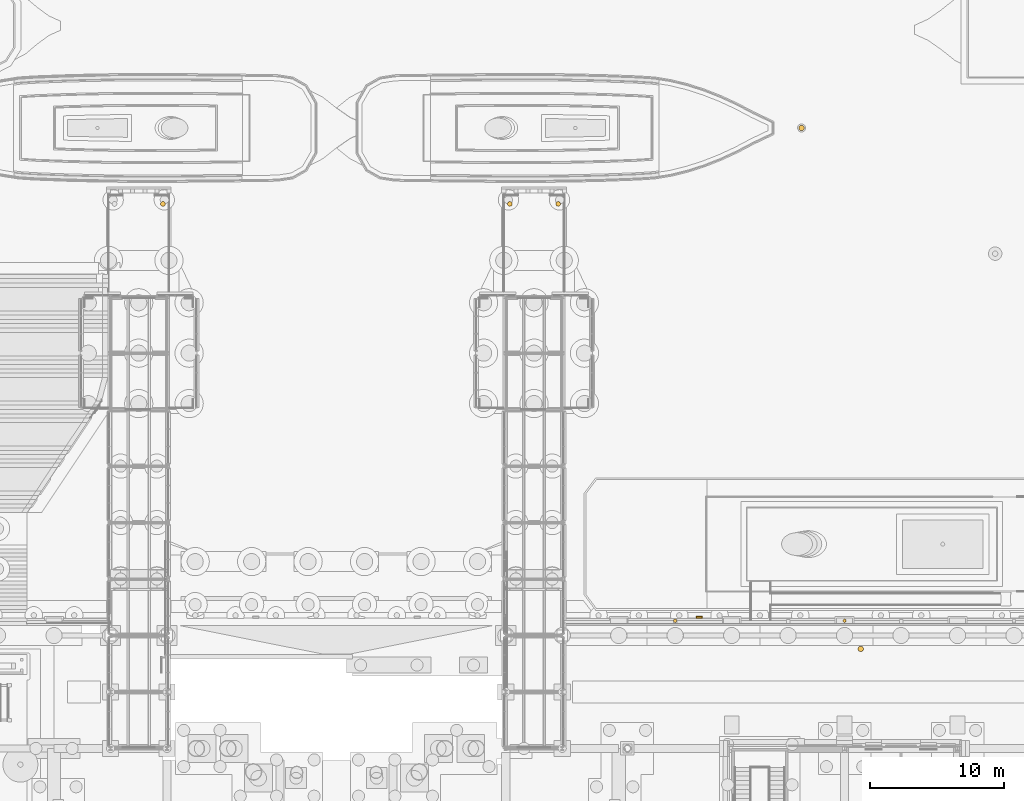
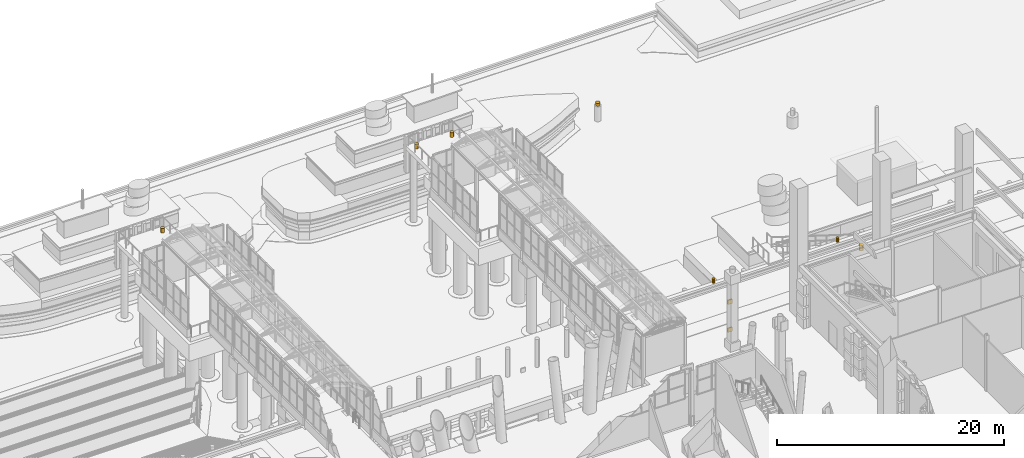
# One storey, part 214 of 222: 9 coverings.
"""IFC4 building model written with IfcOpenShell, lengths in metres."""

import ifcopenshell
import ifcopenshell.guid

model = None  # the IFC model being written
_history = None  # IfcOwnerHistory: only IFC2X3 demands one
_inside = {}  # id of a spatial element -> (the spatial element, [elements in it])
_under = {}  # id of a project, library or spatial element -> (it, [spatial elements below it])
_declared = {}  # id of a project -> (the project, [libraries it declares])
_typed = {}  # id of a type object -> (the type object, [elements of that type])
_made_of = {}  # id of a material, layer set ... -> (it, [elements and type objects made of it])


def new_model(schema):
    """Start an empty IFC model of exactly this schema.

    Asked for "IFC4X3", IfcOpenShell would pick the latest addendum, in which some entities
    have other attributes; the version numbers below select the first issue.
    IFC2X3 requires an IfcOwnerHistory on every rooted entity: one is made here for all.
    """
    global model, _history
    if schema == "IFC4X3":
        model = ifcopenshell.file(schema_version=(4, 3, 0, 0))
    else:
        model = ifcopenshell.file(schema=schema)
    _inside.clear()
    _under.clear()
    _declared.clear()
    _typed.clear()
    _made_of.clear()
    _history = None
    if model.schema == "IFC2X3":
        org = make("IfcOrganization", Name="unknown")
        user = make(
            "IfcPersonAndOrganization",
            ThePerson=make("IfcPerson", FamilyName="unknown"),
            TheOrganization=org,
        )
        app = make(
            "IfcApplication",
            ApplicationDeveloper=org,
            Version="unknown",
            ApplicationFullName="unknown",
            ApplicationIdentifier="unknown",
        )
        _history = make(
            "IfcOwnerHistory",
            OwningUser=user,
            OwningApplication=app,
            ChangeAction="ADDED",
            CreationDate=0,
        )
    return model


def make(cls, **values):
    """One entity of the class cls with the attributes given. An attribute that is None is left unset."""
    return model.create_entity(
        cls, **{name: value for name, value in values.items() if value is not None}
    )


def rooted(cls, **values):
    """An entity with a GlobalId (a new one), such as an element, a storey or a relation."""
    return make(cls, GlobalId=ifcopenshell.guid.new(), OwnerHistory=_history, **values)


def si_unit(unit_type, name, prefix=None):
    """IfcSIUnit, for example si_unit("LENGTHUNIT", "METRE", prefix="MILLI")."""
    return make("IfcSIUnit", UnitType=unit_type, Prefix=prefix, Name=name)


def assignment(units):
    """IfcUnitAssignment: the units of a project."""
    return None if units is None else make("IfcUnitAssignment", Units=units)


def point(xyz):
    """IfcCartesianPoint."""
    return None if xyz is None else make("IfcCartesianPoint", Coordinates=xyz)


def direction(xyz):
    """IfcDirection."""
    return None if xyz is None else make("IfcDirection", DirectionRatios=xyz)


def frame(location, z_axis=None, x_axis=None):
    """IfcAxis2Placement3D, a coordinate frame: its origin and axes. An axis left out is left unset."""
    return make(
        "IfcAxis2Placement3D",
        Location=point(location),
        Axis=direction(z_axis),
        RefDirection=direction(x_axis),
    )


def frame_2d(location, x_axis=None):
    """IfcAxis2Placement2D, a coordinate frame in the plane: its origin and x axis."""
    return make(
        "IfcAxis2Placement2D", Location=point(location), RefDirection=direction(x_axis)
    )


def origin():
    """The frame at (0, 0, 0) with its axes left unset."""
    return frame((0.0, 0.0, 0.0))


def origin_2d():
    """The frame at (0, 0) in the plane with its x axis left unset."""
    return frame_2d((0.0, 0.0))


def place(relative_to, where):
    """IfcLocalPlacement: puts the frame where relative to a parent placement (None: the world)."""
    return make(
        "IfcLocalPlacement", PlacementRelTo=relative_to, RelativePlacement=where
    )


def context(
    kind, dimensions, precision=None, world=None, true_north=None, identifier=None
):
    """IfcGeometricRepresentationContext, for example the 3D "Model" context."""
    return make(
        "IfcGeometricRepresentationContext",
        ContextIdentifier=identifier,
        ContextType=kind,
        CoordinateSpaceDimension=dimensions,
        Precision=precision,
        WorldCoordinateSystem=world,
        TrueNorth=true_north,
    )


def subcontext(parent, identifier, kind, view, scale=None):
    """IfcGeometricRepresentationSubContext, for example "Body" below "Model"."""
    return make(
        "IfcGeometricRepresentationSubContext",
        ContextIdentifier=identifier,
        ContextType=kind,
        ParentContext=parent,
        TargetScale=scale,
        TargetView=view,
    )


def project(units=None, contexts=None):
    """IfcProject with its units and contexts."""
    return rooted(
        "IfcProject",
        Name="project",
        RepresentationContexts=contexts,
        UnitsInContext=assignment(units),
    )


def spatial(cls, under=None, at=None, **own):
    """A site, building, storey or space (cls), placed at a placement, below another one or the project."""
    s = rooted(cls, ObjectPlacement=at, **own)
    if under is not None:
        _under.setdefault(under.id(), (under, []))[1].append(s)
    return s


def polyline(points):
    """IfcPolyline through the points."""
    return make("IfcPolyline", Points=[point(p) for p in points])


def profile(cls, at=None, kind="AREA", **sizes):
    """A parametric profile (cls). Its sizes go by their IFC names, for example OverallWidth=200.0."""
    return make(cls, ProfileType=kind, Position=at, **sizes)


def circle(**sizes):
    """IfcCircleProfileDef."""
    return profile("IfcCircleProfileDef", **sizes)


def outline(outer, holes=None, kind="AREA"):
    """IfcArbitraryClosedProfileDef: a profile drawn as a closed curve; with holes, ...WithVoids."""
    if holes is None:
        return make("IfcArbitraryClosedProfileDef", ProfileType=kind, OuterCurve=outer)
    return make(
        "IfcArbitraryProfileDefWithVoids",
        ProfileType=kind,
        OuterCurve=outer,
        InnerCurves=holes,
    )


def extrude(swept, where, along, depth):
    """IfcExtrudedAreaSolid: the profile swept, set in the frame where, extruded along a direction by depth."""
    return make(
        "IfcExtrudedAreaSolid",
        SweptArea=swept,
        Position=where,
        ExtrudedDirection=direction(along),
        Depth=depth,
    )


def shape(context_of_items, identifier, shape_type, items):
    """IfcShapeRepresentation: the items that make up one representation, for example the "Body"."""
    return make(
        "IfcShapeRepresentation",
        ContextOfItems=context_of_items,
        RepresentationIdentifier=identifier,
        RepresentationType=shape_type,
        Items=items,
    )


def material(Name=None, Category=None):
    """IfcMaterial."""
    return make("IfcMaterial", Name=Name, Category=Category)


def layer(
    of_material, thickness, ventilated=None, Name=None, Category=None, Priority=None
):
    """IfcMaterialLayer: one layer of a wall or slab, of a material (None: an air gap)."""
    return make(
        "IfcMaterialLayer",
        Material=of_material,
        LayerThickness=thickness,
        IsVentilated=ventilated,
        Name=Name,
        Category=Category,
        Priority=Priority,
    )


def layer_set(layers, Name=None):
    """IfcMaterialLayerSet."""
    return make("IfcMaterialLayerSet", MaterialLayers=layers, LayerSetName=Name)


def made_of(thing, what):
    """Note that an element or type object is made of a material, layer set ...; save() writes the relation."""
    if what is not None:
        _made_of.setdefault(what.id(), (what, []))[1].append(thing)
    return thing


def type_object(cls, material=None, **own):
    """A type object (cls), such as IfcWallType, which elements share."""
    return made_of(rooted(cls, **own), material)


def element(
    cls,
    number,
    at=None,
    inside=None,
    cuts=None,
    type_object=None,
    material=None,
    context=None,
    identifier="Body",
    shape_type=None,
    held_by="IfcProductDefinitionShape",
    body=None,
    shapes=None,
    **own,
):
    """One element of the class cls, such as IfcWall. Its Tag is "e" and its number.

    at: its placement. inside: the storey or other place that contains it. cuts: it is an
    opening in that element (IfcRelVoidsElement). A single representation is given by context,
    identifier, shape_type and body (its items); several are given by shapes. held_by: the class
    of the entity that holds the representations. save() writes the other relations.
    """
    e = rooted(cls, Tag="e%d" % number, ObjectPlacement=at, **own)
    if body is not None:
        shapes = [shape(context, identifier, shape_type, body)]
    if shapes is not None:
        e.Representation = make(held_by, Representations=shapes)
    if inside is not None:
        _inside.setdefault(inside.id(), (inside, []))[1].append(e)
    if cuts is not None:
        rooted(
            "IfcRelVoidsElement", RelatingBuildingElement=cuts, RelatedOpeningElement=e
        )
    if type_object is not None:
        _typed.setdefault(type_object.id(), (type_object, []))[1].append(e)
    return made_of(e, material)


def aggregate(whole, parts):
    """IfcRelAggregates: a whole, such as a stair, and the parts it consists of."""
    return rooted("IfcRelAggregates", RelatingObject=whole, RelatedObjects=parts)


def save(model, path):
    """Write the relations noted so far, then the file.

    IfcRelAggregates (storeys below a building ...), IfcRelContainedInSpatialStructure (elements
    in a storey), IfcRelDefinesByType, IfcRelAssociatesMaterial and IfcRelDeclares: one each for
    every whole, place, type object, material and project.
    """
    for whole, parts in _under.values():
        aggregate(whole, parts)
    for where, things in _inside.values():
        rooted(
            "IfcRelContainedInSpatialStructure",
            RelatedElements=things,
            RelatingStructure=where,
        )
    for kind, things in _typed.values():
        rooted("IfcRelDefinesByType", RelatedObjects=things, RelatingType=kind)
    for what, things in _made_of.values():
        rooted("IfcRelAssociatesMaterial", RelatedObjects=things, RelatingMaterial=what)
    for by, libraries in _declared.values():
        rooted("IfcRelDeclares", RelatingContext=by, RelatedDefinitions=libraries)
    model.write(path)


model = new_model("IFC4")

# Units and contexts
model_context = context("Model", 3, precision=1e-05, world=origin(), true_north=direction((0.0, 1.0)))
body_context = subcontext(model_context, "Body", "Model", "MODEL_VIEW")
ifc_project = project(units=[si_unit("LENGTHUNIT", "METRE"), si_unit("AREAUNIT", "SQUARE_METRE"), si_unit("VOLUMEUNIT", "CUBIC_METRE"), si_unit("PLANEANGLEUNIT", "RADIAN"), si_unit("MASSUNIT", "GRAM", prefix="KILO")], contexts=[model_context])

# Site, building, storey
site_placement = place(None, origin())
site = spatial("IfcSite", under=ifc_project, at=site_placement, CompositionType="ELEMENT")
building_placement = place(site_placement, origin())
building = spatial("IfcBuilding", under=site, at=building_placement, Name="Sava Quay Ferry Terminal", CompositionType="ELEMENT")
storey_placement = place(building_placement, origin())
storey = spatial("IfcBuildingStorey", under=building, at=storey_placement, Name="L00", CompositionType="ELEMENT", Elevation=0.0)

# Coverings
ifc_material_1 = material(Name="Steel S355", Category="steel")
ifc_layer_1 = layer(ifc_material_1, 0.39990234375)
ifc_layer_set_1 = layer_set([ifc_layer_1], Name="Steel S355")
covering_type_1 = type_object("IfcCoveringType", Name="Dolphin bollard 400", PredefinedType="CLADDING", material=ifc_layer_set_1)
covering_1_placement = place(storey_placement, frame((97.60009765625, 155.35009765625, -6.10009765625), z_axis=(0.0, 0.0, -1.0), x_axis=(1.0, 0.0, 0.0)))
element("IfcCovering", 1, at=covering_1_placement, inside=storey, type_object=covering_type_1, Name="Mooring bollard", PredefinedType="CLADDING", context=body_context, shape_type="SweptSolid", body=[
    extrude(circle(Radius=0.199951171875, at=origin_2d()), origin(), (0.0, 0.0, 1.0), 0.300048828125),
])
ifc_material_2 = material(Name="Cast iron")
ifc_layer_2 = layer(ifc_material_2, 0.35009765625)
ifc_layer_set_2 = layer_set([ifc_layer_2], Name="Cast iron")
covering_type_2 = type_object("IfcCoveringType", Name="Mooring bollard 350", PredefinedType="CLADDING", material=ifc_layer_set_2)
for number, where, z_axis, x_axis, name in (
    (2, (50.10009765625, 149.699951171875, 0.5), (0.0, 0.0, -1.0), (1.0, 0.0, 0.0), "Mooring bollard"),
    (3, (75.89990234375, 149.699951171875, 0.5), (0.0, 0.0, -1.0), (1.0, 0.0, 0.0), "Mooring bollard"),
    (4, (79.5, 149.699951171875, 0.5), (0.0, 0.0, -1.0), (1.0, 0.0, 0.0), "Mooring bollard"),
):
    element("IfcCovering", number, at=place(storey_placement, frame(where, z_axis=z_axis, x_axis=x_axis)), inside=storey, type_object=covering_type_2, Name=name, PredefinedType="CLADDING", context=body_context, shape_type="SweptSolid", body=[
        extrude(circle(Radius=0.175048828125, at=origin_2d()), origin(), (0.0, 0.0, 1.0), 0.5),
    ])
ifc_material_3 = material(Name="Steel S355", Category="steel")
ifc_layer_3 = layer(ifc_material_3, 0.39990234375)
ifc_layer_set_3 = layer_set([ifc_layer_3], Name="Steel S355")
covering_type_3 = type_object("IfcCoveringType", Name="Mooring bollard 400", PredefinedType="CLADDING", material=ifc_layer_set_3)
covering_2_placement = place(storey_placement, frame((102.0, 116.60009765625, 0.550048828125), z_axis=(0.0, 0.0, -1.0), x_axis=(1.0, 0.0, 0.0)))
element("IfcCovering", 5, at=covering_2_placement, inside=storey, type_object=covering_type_3, Name="Mooring bollard", PredefinedType="CLADDING", context=body_context, shape_type="SweptSolid", body=[
    extrude(circle(Radius=0.199951171875, at=origin_2d()), origin(), (0.0, 0.0, 1.0), 0.550048828125),
])
ifc_material_4 = material(Name="Cast iron")
ifc_layer_4 = layer(ifc_material_4, 0.239990234375)
ifc_layer_set_4 = layer_set([ifc_layer_4], Name="Cast iron")
covering_type_4 = type_object("IfcCoveringType", Name="Quay bollard 240", PredefinedType="CLADDING", material=ifc_layer_set_4)
for number, where, z_axis, x_axis, name in (
    (6, (88.199951171875, 118.699951171875, 0.5), (0.0, 0.0, -1.0), (1.0, 0.0, 0.0), "Mooring bollard"),
    (7, (100.800048828125, 118.699951171875, 0.5), (0.0, 0.0, -1.0), (1.0, 0.0, 0.0), "Mooring bollard"),
):
    element("IfcCovering", number, at=place(storey_placement, frame(where, z_axis=z_axis, x_axis=x_axis)), inside=storey, type_object=covering_type_4, Name=name, PredefinedType="CLADDING", context=body_context, shape_type="SweptSolid", body=[
        extrude(circle(Radius=0.1201171875, at=origin_2d()), origin(), (0.0, 0.0, 1.0), 0.5),
    ])
ifc_material_5 = material(Name="Cast iron")
ifc_layer_5 = layer(ifc_material_5, 0.1201171875)
ifc_layer_set_5 = layer_set([ifc_layer_5], Name="Cast iron")
covering_type_5 = type_object("IfcCoveringType", Name="Quay mooring ring plate", PredefinedType="CLADDING", material=ifc_layer_set_5)
for number, where, name in (
    (8, (0.0, 0.0, -6.02490234375), "Quay mooring ring plate"),
    (9, (0.0, 0.0, -3.02490234375), "Quay mooring ring plate"),
):
    element("IfcCovering", number, at=place(storey_placement, frame(where)), inside=storey, type_object=covering_type_5, Name=name, PredefinedType="CLADDING", context=body_context, shape_type="SweptSolid", body=[
        extrude(outline(polyline([(90.22509765625, 118.89990234375), (90.22509765625, 119.02001953125), (89.77490234375, 119.02001953125), (89.77490234375, 118.89990234375), (90.22509765625, 118.89990234375)])), origin(), (0.0, 0.0, 1.0), 0.449951171875),
    ])

save(model, "model.ifc")
